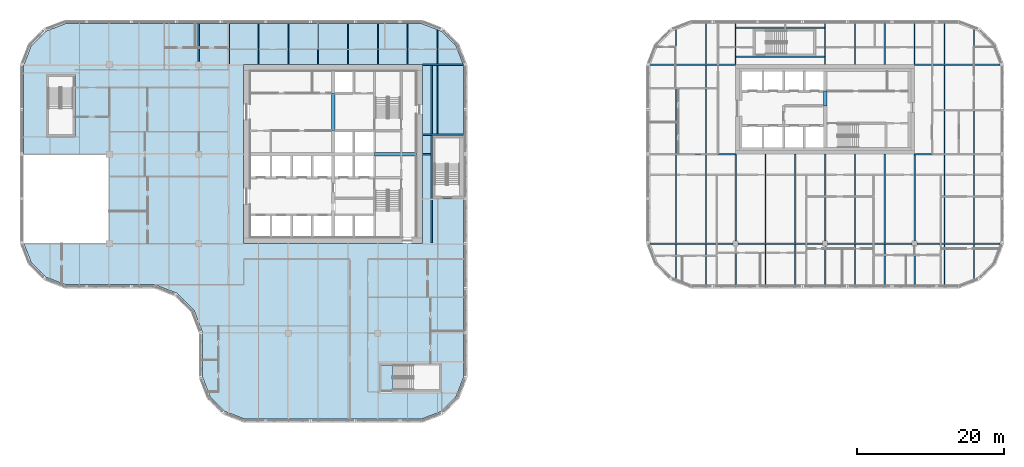
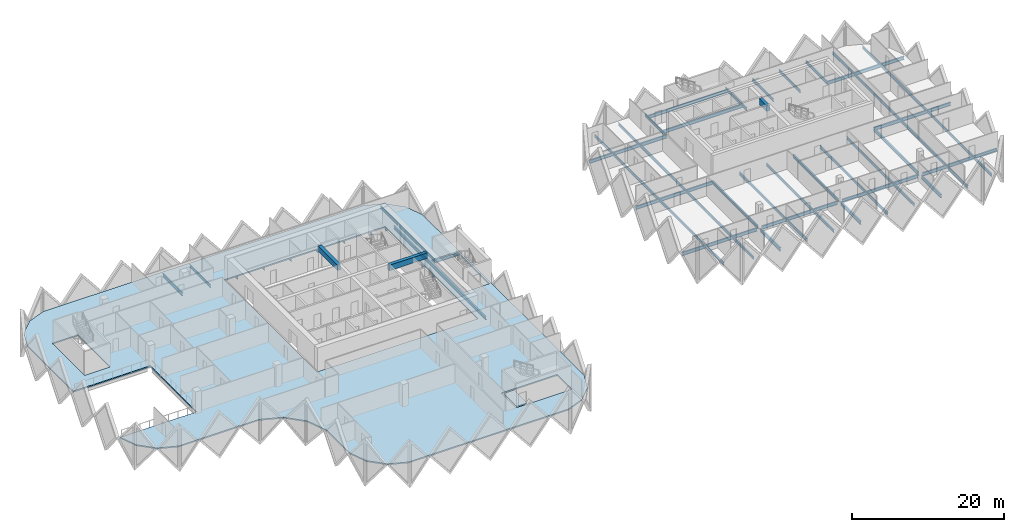
# One storey, part 2 of 19: 62 beams, 2 slabs.
"""IFC4 building model written with IfcOpenShell, lengths in metres."""

from ifc_helpers import new_model, si_unit, direction, frame, origin, origin_2d, place, context, subcontext, project, spatial, polyline, rectangle, i_section, outline, extrude, material, layer, layer_set, material_profile, profile_set, type_object, element, save


model = new_model("IFC4")

# Units and contexts
model_context = context("Model", 3, precision=1e-05, world=origin(), true_north=direction((0.0, 1.0)))
body_context = subcontext(model_context, "Body", "Model", "MODEL_VIEW")
ifc_project = project(units=[si_unit("LENGTHUNIT", "METRE"), si_unit("AREAUNIT", "SQUARE_METRE"), si_unit("VOLUMEUNIT", "CUBIC_METRE"), si_unit("PLANEANGLEUNIT", "RADIAN"), si_unit("MASSUNIT", "GRAM", prefix="KILO")], contexts=[model_context])

# Site, building, storey
site_placement = place(None, origin())
site = spatial("IfcSite", under=ifc_project, at=site_placement, CompositionType="ELEMENT")
building_placement = place(site_placement, origin())
building = spatial("IfcBuilding", under=site, at=building_placement, Name="Tessera Gate Towers", CompositionType="ELEMENT")
storey_placement = place(building_placement, frame((0.0, 0.0, 76.199951171875)))
storey = spatial("IfcBuildingStorey", under=building, at=storey_placement, Name="L18", CompositionType="ELEMENT", Elevation=76.199951171875)

# Beams
ifc_material_1 = material(Name="Concrete C50/60", Category="concrete")
ifc_material_profile_1 = material_profile(ifc_material_1, rectangle(XDim=0.5, YDim=0.89990234375, at=origin_2d()), Name="RC 500x900")
ifc_profile_set_1 = profile_set([ifc_material_profile_1], Name="Concrete C50/60")
beam_type_1 = type_object("IfcBeamType", Name="COUPLING BEAM 500x900 C50/60", PredefinedType="BEAM", material=ifc_profile_set_1)
beam_1_placement = place(storey_placement, frame((109.800048828125, 43.199951171875, 3.150146484375), z_axis=(0.0, 1.0, 0.0), x_axis=(-1.0, 0.0, 0.0)))
element("IfcBeam", 1, at=beam_1_placement, inside=storey, type_object=beam_type_1, Name="L18 coupling beam 1", PredefinedType="BEAM", context=body_context, shape_type="SweptSolid", body=[
    extrude(rectangle(XDim=0.5, YDim=0.89990234375, at=origin_2d()), origin(), (0.0, 0.0, 1.0), 2.0),
])
ifc_material_2 = material(Name="Concrete C60/75", Category="concrete")
ifc_material_profile_2 = material_profile(ifc_material_2, rectangle(XDim=0.5, YDim=0.89990234375, at=origin_2d()), Name="RC 500x900")
ifc_profile_set_2 = profile_set([ifc_material_profile_2], Name="Concrete C60/75")
beam_type_2 = type_object("IfcBeamType", Name="COUPLING BEAM 500x900 C60/75", PredefinedType="BEAM", material=ifc_profile_set_2)
beam_2_placement = place(storey_placement, frame((48.35009765625, 36.60009765625, 3.150146484375), z_axis=(1.0, 0.0, 0.0), x_axis=(0.0, 1.0, 0.0)))
element("IfcBeam", 2, at=beam_2_placement, inside=storey, type_object=beam_type_2, Name="L18 coupling beam 1", PredefinedType="BEAM", context=body_context, shape_type="SweptSolid", body=[
    extrude(rectangle(XDim=0.5, YDim=0.89990234375, at=origin_2d()), origin(), (0.0, 0.0, 1.0), 5.75),
])
beam_3_placement = place(storey_placement, frame((42.699951171875, 39.800048828125, 3.150146484375), z_axis=(0.0, 1.0, 0.0), x_axis=(-1.0, 0.0, 0.0)))
element("IfcBeam", 3, at=beam_3_placement, inside=storey, type_object=beam_type_2, Name="L18 coupling beam 2", PredefinedType="BEAM", context=body_context, shape_type="SweptSolid", body=[
    extrude(rectangle(XDim=0.5, YDim=0.89990234375, at=origin_2d()), origin(), (0.0, 0.0, 1.0), 5.099853515625),
])
ifc_material_3 = material(Name="Steel 350W", Category="steel")
ifc_material_profile_3 = material_profile(ifc_material_3, i_section(OverallWidth=0.208984375, OverallDepth=0.532958984375, WebThickness=0.01025390625, FlangeThickness=0.015625, at=origin_2d()), Name="W530x92")
ifc_profile_set_3 = profile_set([ifc_material_profile_3], Name="Steel 350W")
beam_type_3 = type_object("IfcBeamType", Name="FLOOR GIRDER W530x92", PredefinedType="BEAM", material=ifc_profile_set_3)
beam_4_placement = place(storey_placement, frame((54.89892578125, 36.60009765625, -0.466552734375), z_axis=(1.0, 0.0, 0.0), x_axis=(0.0, 1.0, 0.0)))
element("IfcBeam", 4, at=beam_4_placement, inside=storey, type_object=beam_type_3, Name="T1-GD-L18-2473", PredefinedType="BEAM", context=body_context, shape_type="SweptSolid", body=[
    extrude(i_section(OverallWidth=0.208984375, OverallDepth=0.532958984375, WebThickness=0.01025390625, FlangeThickness=0.015625, at=origin_2d()), origin(), (0.0, 0.0, 1.0), 1.176513671875),
])
beam_5_placement = place(storey_placement, frame((54.90087890625, 48.800048828125, -0.466552734375), z_axis=(1.0, 0.0, 0.0), x_axis=(0.0, 1.0, 0.0)))
element("IfcBeam", 5, at=beam_5_placement, inside=storey, type_object=beam_type_3, Name="T1-GD-L18-2477", PredefinedType="BEAM", context=body_context, shape_type="SweptSolid", body=[
    extrude(i_section(OverallWidth=0.208984375, OverallDepth=0.532958984375, WebThickness=0.01025390625, FlangeThickness=0.015625, at=origin_2d()), origin(), (0.0, 0.0, 1.0), 5.564208984375),
])
beam_6_placement = place(storey_placement, frame((24.39990234375, 49.25, -0.466552734375), z_axis=(0.0, 1.0, 0.0), x_axis=(-1.0, 0.0, 0.0)))
element("IfcBeam", 6, at=beam_6_placement, inside=storey, type_object=beam_type_3, Name="T1-GD-L18-2485", PredefinedType="BEAM", context=body_context, shape_type="SweptSolid", body=[
    extrude(i_section(OverallWidth=0.208984375, OverallDepth=0.532958984375, WebThickness=0.01025390625, FlangeThickness=0.015625, at=origin_2d()), origin(), (0.0, 0.0, 1.0), 5.15087890625),
])
beam_7_placement = place(storey_placement, frame((54.89892578125, 39.219970703125, -0.466552734375), z_axis=(1.0, 0.0, 0.0), x_axis=(0.0, 1.0, 0.0)))
element("IfcBeam", 7, at=beam_7_placement, inside=storey, type_object=beam_type_3, Name="T1-GD-L18-2495", PredefinedType="BEAM", context=body_context, shape_type="SweptSolid", body=[
    extrude(i_section(OverallWidth=0.208984375, OverallDepth=0.532958984375, WebThickness=0.01025390625, FlangeThickness=0.015625, at=origin_2d()), origin(), (0.0, 0.0, 1.0), 5.60205078125),
])
beam_8_placement = place(storey_placement, frame((56.179931640625, 24.50439453125, -0.466552734375), z_axis=(0.0, 1.0, 0.0), x_axis=(-1.0, 0.0, 0.0)))
element("IfcBeam", 8, at=beam_8_placement, inside=storey, type_object=beam_type_3, Name="T1-GD-L18-2496", PredefinedType="BEAM", context=body_context, shape_type="SweptSolid", body=[
    extrude(i_section(OverallWidth=0.208984375, OverallDepth=0.532958984375, WebThickness=0.01025390625, FlangeThickness=0.015625, at=origin_2d()), origin(), (0.0, 0.0, 1.0), 24.191162109375),
])
beam_9_placement = place(storey_placement, frame((85.934814453125, 24.39990234375, -0.466552734375), z_axis=(1.0, 0.0, 0.0), x_axis=(0.0, 1.0, 0.0)))
element("IfcBeam", 9, at=beam_9_placement, inside=storey, type_object=beam_type_3, Name="T2-GD-L18-2537", PredefinedType="BEAM", context=body_context, shape_type="SweptSolid", body=[
    extrude(i_section(OverallWidth=0.208984375, OverallDepth=0.532958984375, WebThickness=0.01025390625, FlangeThickness=0.015625, at=origin_2d()), origin(), (0.0, 0.0, 1.0), 11.315185546875),
])
for number, where, z_axis, x_axis, name in (
    (10, (97.949951171875, 24.39990234375, -0.466552734375), (1.0, 0.0, 0.0), (0.0, 1.0, 0.0), "T2-GD-L18-2538"),
    (11, (110.14990234375, 24.39990234375, -0.466552734375), (1.0, 0.0, 0.0), (0.0, 1.0, 0.0), "T2-GD-L18-2539"),
):
    element("IfcBeam", number, at=place(storey_placement, frame(where, z_axis=z_axis, x_axis=x_axis)), inside=storey, type_object=beam_type_3, Name=name, PredefinedType="BEAM", context=body_context, shape_type="SweptSolid", body=[
        extrude(i_section(OverallWidth=0.208984375, OverallDepth=0.532958984375, WebThickness=0.01025390625, FlangeThickness=0.015625, at=origin_2d()), origin(), (0.0, 0.0, 1.0), 11.5),
    ])
beam_10_placement = place(storey_placement, frame((122.35009765625, 24.39990234375, -0.466552734375), z_axis=(1.0, 0.0, 0.0), x_axis=(0.0, 1.0, 0.0)))
element("IfcBeam", 12, at=beam_10_placement, inside=storey, type_object=beam_type_3, Name="T2-GD-L18-2540", PredefinedType="BEAM", context=body_context, shape_type="SweptSolid", body=[
    extrude(i_section(OverallWidth=0.208984375, OverallDepth=0.532958984375, WebThickness=0.01025390625, FlangeThickness=0.015625, at=origin_2d()), origin(), (0.0, 0.0, 1.0), 11.315185546875),
])
beam_11_placement = place(storey_placement, frame((85.89892578125, 36.60009765625, -0.466552734375), z_axis=(1.0, 0.0, 0.0), x_axis=(0.0, 1.0, 0.0)))
element("IfcBeam", 13, at=beam_11_placement, inside=storey, type_object=beam_type_3, Name="T2-GD-L18-2541", PredefinedType="BEAM", context=body_context, shape_type="SweptSolid", body=[
    extrude(i_section(OverallWidth=0.208984375, OverallDepth=0.532958984375, WebThickness=0.01025390625, FlangeThickness=0.015625, at=origin_2d()), origin(), (0.0, 0.0, 1.0), 11.7001953125),
])
beam_12_placement = place(storey_placement, frame((122.0009765625, 36.60009765625, -0.466552734375), z_axis=(1.0, 0.0, 0.0), x_axis=(0.0, 1.0, 0.0)))
element("IfcBeam", 14, at=beam_12_placement, inside=storey, type_object=beam_type_3, Name="T2-GD-L18-2542", PredefinedType="BEAM", context=body_context, shape_type="SweptSolid", body=[
    extrude(i_section(OverallWidth=0.208984375, OverallDepth=0.532958984375, WebThickness=0.01025390625, FlangeThickness=0.015625, at=origin_2d()), origin(), (0.0, 0.0, 1.0), 11.699951171875),
])
for number, where, z_axis, x_axis, name in (
    (15, (85.934814453125, 48.800048828125, -0.466552734375), (1.0, 0.0, 0.0), (0.0, 1.0, 0.0), "T2-GD-L18-2543"),
    (16, (122.0009765625, 48.800048828125, -0.466552734375), (1.0, 0.0, 0.0), (0.0, 1.0, 0.0), "T2-GD-L18-2544"),
):
    element("IfcBeam", number, at=place(storey_placement, frame(where, z_axis=z_axis, x_axis=x_axis)), inside=storey, type_object=beam_type_3, Name=name, PredefinedType="BEAM", context=body_context, shape_type="SweptSolid", body=[
        extrude(i_section(OverallWidth=0.208984375, OverallDepth=0.532958984375, WebThickness=0.01025390625, FlangeThickness=0.015625, at=origin_2d()), origin(), (0.0, 0.0, 1.0), 11.664306640625),
    ])
beam_13_placement = place(storey_placement, frame((97.60009765625, 18.799072265625, -0.466552734375), z_axis=(0.0, 1.0, 0.0), x_axis=(-1.0, 0.0, 0.0)))
element("IfcBeam", 17, at=beam_13_placement, inside=storey, type_object=beam_type_3, Name="T2-GD-L18-2545", PredefinedType="BEAM", context=body_context, shape_type="SweptSolid", body=[
    extrude(i_section(OverallWidth=0.208984375, OverallDepth=0.532958984375, WebThickness=0.01025390625, FlangeThickness=0.015625, at=origin_2d()), origin(), (0.0, 0.0, 1.0), 5.2509765625),
])
beam_14_placement = place(storey_placement, frame((97.60009765625, 24.75, -0.466552734375), z_axis=(0.0, 1.0, 0.0), x_axis=(-1.0, 0.0, 0.0)))
element("IfcBeam", 18, at=beam_14_placement, inside=storey, type_object=beam_type_3, Name="T2-GD-L18-2546", PredefinedType="BEAM", context=body_context, shape_type="SweptSolid", body=[
    extrude(i_section(OverallWidth=0.208984375, OverallDepth=0.532958984375, WebThickness=0.01025390625, FlangeThickness=0.015625, at=origin_2d()), origin(), (0.0, 0.0, 1.0), 11.85009765625),
])
beam_15_placement = place(storey_placement, frame((109.800048828125, 18.799072265625, -0.466552734375), z_axis=(0.0, 1.0, 0.0), x_axis=(-1.0, 0.0, 0.0)))
element("IfcBeam", 19, at=beam_15_placement, inside=storey, type_object=beam_type_3, Name="T2-GD-L18-2547", PredefinedType="BEAM", context=body_context, shape_type="SweptSolid", body=[
    extrude(i_section(OverallWidth=0.208984375, OverallDepth=0.532958984375, WebThickness=0.01025390625, FlangeThickness=0.015625, at=origin_2d()), origin(), (0.0, 0.0, 1.0), 5.2509765625),
])
beam_16_placement = place(storey_placement, frame((109.800048828125, 24.75, -0.466552734375), z_axis=(0.0, 1.0, 0.0), x_axis=(-1.0, 0.0, 0.0)))
element("IfcBeam", 20, at=beam_16_placement, inside=storey, type_object=beam_type_3, Name="T2-GD-L18-2548", PredefinedType="BEAM", context=body_context, shape_type="SweptSolid", body=[
    extrude(i_section(OverallWidth=0.208984375, OverallDepth=0.532958984375, WebThickness=0.01025390625, FlangeThickness=0.015625, at=origin_2d()), origin(), (0.0, 0.0, 1.0), 11.85009765625),
])
beam_17_placement = place(storey_placement, frame((122.0, 18.799072265625, -0.466552734375), z_axis=(0.0, 1.0, 0.0), x_axis=(-1.0, 0.0, 0.0)))
element("IfcBeam", 21, at=beam_17_placement, inside=storey, type_object=beam_type_3, Name="T2-GD-L18-2549", PredefinedType="BEAM", context=body_context, shape_type="SweptSolid", body=[
    extrude(i_section(OverallWidth=0.208984375, OverallDepth=0.532958984375, WebThickness=0.01025390625, FlangeThickness=0.015625, at=origin_2d()), origin(), (0.0, 0.0, 1.0), 5.2509765625),
])
beam_18_placement = place(storey_placement, frame((122.0, 24.75, -0.466552734375), z_axis=(0.0, 1.0, 0.0), x_axis=(-1.0, 0.0, 0.0)))
element("IfcBeam", 22, at=beam_18_placement, inside=storey, type_object=beam_type_3, Name="T2-GD-L18-2550", PredefinedType="BEAM", context=body_context, shape_type="SweptSolid", body=[
    extrude(i_section(OverallWidth=0.208984375, OverallDepth=0.532958984375, WebThickness=0.01025390625, FlangeThickness=0.015625, at=origin_2d()), origin(), (0.0, 0.0, 1.0), 11.85009765625),
])
for number, where, z_axis, x_axis, name in (
    (23, (97.676513671875, 49.8798828125, -0.466552734375), (1.0, 0.0, 0.0), (0.0, 1.0, 0.0), "T2-GD-L18-2551"),
    (24, (97.676513671875, 53.820068359375, -0.466552734375), (1.0, 0.0, 0.0), (0.0, 1.0, 0.0), "T2-GD-L18-2552"),
):
    element("IfcBeam", number, at=place(storey_placement, frame(where, z_axis=z_axis, x_axis=x_axis)), inside=storey, type_object=beam_type_3, Name=name, PredefinedType="BEAM", context=body_context, shape_type="SweptSolid", body=[
        extrude(i_section(OverallWidth=0.208984375, OverallDepth=0.532958984375, WebThickness=0.01025390625, FlangeThickness=0.015625, at=origin_2d()), origin(), (0.0, 0.0, 1.0), 12.046875),
    ])
ifc_material_4 = material(Name="Steel 350W", Category="steel")
ifc_material_profile_4 = material_profile(ifc_material_4, i_section(OverallWidth=0.153076171875, OverallDepth=0.455078125, WebThickness=0.008056640625, FlangeThickness=0.01318359375, at=origin_2d()), Name="W460x60")
ifc_profile_set_4 = profile_set([ifc_material_profile_4], Name="Steel 350W")
beam_type_4 = type_object("IfcBeamType", Name="FLOOR SECONDARY W460x60", PredefinedType="BEAM", material=ifc_profile_set_4)
beam_19_placement = place(storey_placement, frame((28.466796875, 48.904541015625, -0.427490234375), z_axis=(0.0, 1.0, 0.0), x_axis=(-1.0, 0.0, 0.0)))
element("IfcBeam", 25, at=beam_19_placement, inside=storey, type_object=beam_type_4, Name="T1-BM-L18-2515", PredefinedType="BEAM", context=body_context, shape_type="SweptSolid", body=[
    extrude(i_section(OverallWidth=0.153076171875, OverallDepth=0.455078125, WebThickness=0.008056640625, FlangeThickness=0.01318359375, at=origin_2d()), origin(), (0.0, 0.0, 1.0), 5.495361328125),
])
for number, where, z_axis, x_axis, name in (
    (26, (32.533203125, 48.800048828125, -0.427490234375), (0.0, 1.0, 0.0), (-1.0, 0.0, 0.0), "T1-BM-L18-2518"),
    (27, (36.60009765625, 48.800048828125, -0.427490234375), (0.0, 1.0, 0.0), (-1.0, 0.0, 0.0), "T1-BM-L18-2519"),
    (28, (40.666748046875, 48.800048828125, -0.427490234375), (0.0, 1.0, 0.0), (-1.0, 0.0, 0.0), "T1-BM-L18-2522"),
    (29, (44.7333984375, 48.800048828125, -0.427490234375), (0.0, 1.0, 0.0), (-1.0, 0.0, 0.0), "T1-BM-L18-2525"),
    (30, (48.800048828125, 48.800048828125, -0.427490234375), (0.0, 1.0, 0.0), (-1.0, 0.0, 0.0), "T1-BM-L18-2526"),
    (31, (52.86669921875, 48.800048828125, -0.427490234375), (0.0, 1.0, 0.0), (-1.0, 0.0, 0.0), "T1-BM-L18-2530"),
):
    element("IfcBeam", number, at=place(storey_placement, frame(where, z_axis=z_axis, x_axis=x_axis)), inside=storey, type_object=beam_type_4, Name=name, PredefinedType="BEAM", context=body_context, shape_type="SweptSolid", body=[
        extrude(i_section(OverallWidth=0.153076171875, OverallDepth=0.455078125, WebThickness=0.008056640625, FlangeThickness=0.01318359375, at=origin_2d()), origin(), (0.0, 0.0, 1.0), 5.599853515625),
    ])
beam_20_placement = place(storey_placement, frame((56.933349609375, 39.324462890625, -0.427490234375), z_axis=(0.0, 1.0, 0.0), x_axis=(-1.0, 0.0, 0.0)))
element("IfcBeam", 32, at=beam_20_placement, inside=storey, type_object=beam_type_4, Name="T1-BM-L18-2535", PredefinedType="BEAM", context=body_context, shape_type="SweptSolid", body=[
    extrude(i_section(OverallWidth=0.153076171875, OverallDepth=0.455078125, WebThickness=0.008056640625, FlangeThickness=0.01318359375, at=origin_2d()), origin(), (0.0, 0.0, 1.0), 9.37109375),
])
for number, where, z_axis, x_axis, name in (
    (33, (56.933349609375, 48.904541015625, -0.427490234375), (0.0, 1.0, 0.0), (-1.0, 0.0, 0.0), "T1-BM-L18-2536"),
    (34, (89.466796875, 19.620361328125, -0.427490234375), (0.0, 1.0, 0.0), (-1.0, 0.0, 0.0), "T2-BM-L18-2553"),
):
    element("IfcBeam", number, at=place(storey_placement, frame(where, z_axis=z_axis, x_axis=x_axis)), inside=storey, type_object=beam_type_4, Name=name, PredefinedType="BEAM", context=body_context, shape_type="SweptSolid", body=[
        extrude(i_section(OverallWidth=0.153076171875, OverallDepth=0.455078125, WebThickness=0.008056640625, FlangeThickness=0.01318359375, at=origin_2d()), origin(), (0.0, 0.0, 1.0), 4.675048828125),
    ])
beam_21_placement = place(storey_placement, frame((89.466796875, 24.50439453125, -0.427490234375), z_axis=(0.0, 1.0, 0.0), x_axis=(-1.0, 0.0, 0.0)))
element("IfcBeam", 35, at=beam_21_placement, inside=storey, type_object=beam_type_4, Name="T2-BM-L18-2554", PredefinedType="BEAM", context=body_context, shape_type="SweptSolid", body=[
    extrude(i_section(OverallWidth=0.153076171875, OverallDepth=0.455078125, WebThickness=0.008056640625, FlangeThickness=0.01318359375, at=origin_2d()), origin(), (0.0, 0.0, 1.0), 11.9912109375),
])
beam_22_placement = place(storey_placement, frame((89.466796875, 36.70458984375, -0.427490234375), z_axis=(0.0, 1.0, 0.0), x_axis=(-1.0, 0.0, 0.0)))
element("IfcBeam", 36, at=beam_22_placement, inside=storey, type_object=beam_type_4, Name="T2-BM-L18-2555", PredefinedType="BEAM", context=body_context, shape_type="SweptSolid", body=[
    extrude(i_section(OverallWidth=0.153076171875, OverallDepth=0.455078125, WebThickness=0.008056640625, FlangeThickness=0.01318359375, at=origin_2d()), origin(), (0.0, 0.0, 1.0), 11.990966796875),
])
beam_23_placement = place(storey_placement, frame((89.466796875, 48.904541015625, -0.427490234375), z_axis=(0.0, 1.0, 0.0), x_axis=(-1.0, 0.0, 0.0)))
element("IfcBeam", 37, at=beam_23_placement, inside=storey, type_object=beam_type_4, Name="T2-BM-L18-2556", PredefinedType="BEAM", context=body_context, shape_type="SweptSolid", body=[
    extrude(i_section(OverallWidth=0.153076171875, OverallDepth=0.455078125, WebThickness=0.008056640625, FlangeThickness=0.01318359375, at=origin_2d()), origin(), (0.0, 0.0, 1.0), 4.675048828125),
])
beam_24_placement = place(storey_placement, frame((93.533203125, 18.800048828125, -0.427490234375), z_axis=(0.0, 1.0, 0.0), x_axis=(-1.0, 0.0, 0.0)))
element("IfcBeam", 38, at=beam_24_placement, inside=storey, type_object=beam_type_4, Name="T2-BM-L18-2557", PredefinedType="BEAM", context=body_context, shape_type="SweptSolid", body=[
    extrude(i_section(OverallWidth=0.153076171875, OverallDepth=0.455078125, WebThickness=0.008056640625, FlangeThickness=0.01318359375, at=origin_2d()), origin(), (0.0, 0.0, 1.0), 5.495361328125),
])
beam_25_placement = place(storey_placement, frame((93.533203125, 24.50439453125, -0.427490234375), z_axis=(0.0, 1.0, 0.0), x_axis=(-1.0, 0.0, 0.0)))
element("IfcBeam", 39, at=beam_25_placement, inside=storey, type_object=beam_type_4, Name="T2-BM-L18-2558", PredefinedType="BEAM", context=body_context, shape_type="SweptSolid", body=[
    extrude(i_section(OverallWidth=0.153076171875, OverallDepth=0.455078125, WebThickness=0.008056640625, FlangeThickness=0.01318359375, at=origin_2d()), origin(), (0.0, 0.0, 1.0), 11.9912109375),
])
beam_26_placement = place(storey_placement, frame((93.533203125, 36.70458984375, -0.427490234375), z_axis=(0.0, 1.0, 0.0), x_axis=(-1.0, 0.0, 0.0)))
element("IfcBeam", 40, at=beam_26_placement, inside=storey, type_object=beam_type_4, Name="T2-BM-L18-2559", PredefinedType="BEAM", context=body_context, shape_type="SweptSolid", body=[
    extrude(i_section(OverallWidth=0.153076171875, OverallDepth=0.455078125, WebThickness=0.008056640625, FlangeThickness=0.01318359375, at=origin_2d()), origin(), (0.0, 0.0, 1.0), 11.990966796875),
])
beam_27_placement = place(storey_placement, frame((93.533203125, 48.904541015625, -0.427490234375), z_axis=(0.0, 1.0, 0.0), x_axis=(-1.0, 0.0, 0.0)))
element("IfcBeam", 41, at=beam_27_placement, inside=storey, type_object=beam_type_4, Name="T2-BM-L18-2560", PredefinedType="BEAM", context=body_context, shape_type="SweptSolid", body=[
    extrude(i_section(OverallWidth=0.153076171875, OverallDepth=0.455078125, WebThickness=0.008056640625, FlangeThickness=0.01318359375, at=origin_2d()), origin(), (0.0, 0.0, 1.0), 5.495361328125),
])
beam_28_placement = place(storey_placement, frame((97.60009765625, 48.800048828125, -0.427490234375), z_axis=(0.0, 1.0, 0.0), x_axis=(-1.0, 0.0, 0.0)))
element("IfcBeam", 42, at=beam_28_placement, inside=storey, type_object=beam_type_4, Name="T2-BM-L18-2561", PredefinedType="BEAM", context=body_context, shape_type="SweptSolid", body=[
    extrude(i_section(OverallWidth=0.153076171875, OverallDepth=0.455078125, WebThickness=0.008056640625, FlangeThickness=0.01318359375, at=origin_2d()), origin(), (0.0, 0.0, 1.0), 5.599853515625),
])
beam_29_placement = place(storey_placement, frame((101.666748046875, 18.800048828125, -0.427490234375), z_axis=(0.0, 1.0, 0.0), x_axis=(-1.0, 0.0, 0.0)))
element("IfcBeam", 43, at=beam_29_placement, inside=storey, type_object=beam_type_4, Name="T2-BM-L18-2562", PredefinedType="BEAM", context=body_context, shape_type="SweptSolid", body=[
    extrude(i_section(OverallWidth=0.153076171875, OverallDepth=0.455078125, WebThickness=0.008056640625, FlangeThickness=0.01318359375, at=origin_2d()), origin(), (0.0, 0.0, 1.0), 5.495361328125),
])
beam_30_placement = place(storey_placement, frame((101.666748046875, 24.50439453125, -0.427490234375), z_axis=(0.0, 1.0, 0.0), x_axis=(-1.0, 0.0, 0.0)))
element("IfcBeam", 44, at=beam_30_placement, inside=storey, type_object=beam_type_4, Name="T2-BM-L18-2563", PredefinedType="BEAM", context=body_context, shape_type="SweptSolid", body=[
    extrude(i_section(OverallWidth=0.153076171875, OverallDepth=0.455078125, WebThickness=0.008056640625, FlangeThickness=0.01318359375, at=origin_2d()), origin(), (0.0, 0.0, 1.0), 12.095703125),
])
beam_31_placement = place(storey_placement, frame((105.7333984375, 18.800048828125, -0.427490234375), z_axis=(0.0, 1.0, 0.0), x_axis=(-1.0, 0.0, 0.0)))
element("IfcBeam", 45, at=beam_31_placement, inside=storey, type_object=beam_type_4, Name="T2-BM-L18-2564", PredefinedType="BEAM", context=body_context, shape_type="SweptSolid", body=[
    extrude(i_section(OverallWidth=0.153076171875, OverallDepth=0.455078125, WebThickness=0.008056640625, FlangeThickness=0.01318359375, at=origin_2d()), origin(), (0.0, 0.0, 1.0), 5.495361328125),
])
beam_32_placement = place(storey_placement, frame((105.7333984375, 24.50439453125, -0.427490234375), z_axis=(0.0, 1.0, 0.0), x_axis=(-1.0, 0.0, 0.0)))
element("IfcBeam", 46, at=beam_32_placement, inside=storey, type_object=beam_type_4, Name="T2-BM-L18-2565", PredefinedType="BEAM", context=body_context, shape_type="SweptSolid", body=[
    extrude(i_section(OverallWidth=0.153076171875, OverallDepth=0.455078125, WebThickness=0.008056640625, FlangeThickness=0.01318359375, at=origin_2d()), origin(), (0.0, 0.0, 1.0), 12.095703125),
])
beam_33_placement = place(storey_placement, frame((109.800048828125, 48.800048828125, -0.427490234375), z_axis=(0.0, 1.0, 0.0), x_axis=(-1.0, 0.0, 0.0)))
element("IfcBeam", 47, at=beam_33_placement, inside=storey, type_object=beam_type_4, Name="T2-BM-L18-2566", PredefinedType="BEAM", context=body_context, shape_type="SweptSolid", body=[
    extrude(i_section(OverallWidth=0.153076171875, OverallDepth=0.455078125, WebThickness=0.008056640625, FlangeThickness=0.01318359375, at=origin_2d()), origin(), (0.0, 0.0, 1.0), 5.599853515625),
])
beam_34_placement = place(storey_placement, frame((113.86669921875, 18.800048828125, -0.427490234375), z_axis=(0.0, 1.0, 0.0), x_axis=(-1.0, 0.0, 0.0)))
element("IfcBeam", 48, at=beam_34_placement, inside=storey, type_object=beam_type_4, Name="T2-BM-L18-2567", PredefinedType="BEAM", context=body_context, shape_type="SweptSolid", body=[
    extrude(i_section(OverallWidth=0.153076171875, OverallDepth=0.455078125, WebThickness=0.008056640625, FlangeThickness=0.01318359375, at=origin_2d()), origin(), (0.0, 0.0, 1.0), 5.495361328125),
])
beam_35_placement = place(storey_placement, frame((113.86669921875, 24.50439453125, -0.427490234375), z_axis=(0.0, 1.0, 0.0), x_axis=(-1.0, 0.0, 0.0)))
element("IfcBeam", 49, at=beam_35_placement, inside=storey, type_object=beam_type_4, Name="T2-BM-L18-2568", PredefinedType="BEAM", context=body_context, shape_type="SweptSolid", body=[
    extrude(i_section(OverallWidth=0.153076171875, OverallDepth=0.455078125, WebThickness=0.008056640625, FlangeThickness=0.01318359375, at=origin_2d()), origin(), (0.0, 0.0, 1.0), 12.095703125),
])
beam_36_placement = place(storey_placement, frame((113.86669921875, 48.800048828125, -0.427490234375), z_axis=(0.0, 1.0, 0.0), x_axis=(-1.0, 0.0, 0.0)))
element("IfcBeam", 50, at=beam_36_placement, inside=storey, type_object=beam_type_4, Name="T2-BM-L18-2569", PredefinedType="BEAM", context=body_context, shape_type="SweptSolid", body=[
    extrude(i_section(OverallWidth=0.153076171875, OverallDepth=0.455078125, WebThickness=0.008056640625, FlangeThickness=0.01318359375, at=origin_2d()), origin(), (0.0, 0.0, 1.0), 5.599853515625),
])
beam_37_placement = place(storey_placement, frame((117.933349609375, 18.800048828125, -0.427490234375), z_axis=(0.0, 1.0, 0.0), x_axis=(-1.0, 0.0, 0.0)))
element("IfcBeam", 51, at=beam_37_placement, inside=storey, type_object=beam_type_4, Name="T2-BM-L18-2570", PredefinedType="BEAM", context=body_context, shape_type="SweptSolid", body=[
    extrude(i_section(OverallWidth=0.153076171875, OverallDepth=0.455078125, WebThickness=0.008056640625, FlangeThickness=0.01318359375, at=origin_2d()), origin(), (0.0, 0.0, 1.0), 5.495361328125),
])
beam_38_placement = place(storey_placement, frame((117.933349609375, 24.50439453125, -0.427490234375), z_axis=(0.0, 1.0, 0.0), x_axis=(-1.0, 0.0, 0.0)))
element("IfcBeam", 52, at=beam_38_placement, inside=storey, type_object=beam_type_4, Name="T2-BM-L18-2571", PredefinedType="BEAM", context=body_context, shape_type="SweptSolid", body=[
    extrude(i_section(OverallWidth=0.153076171875, OverallDepth=0.455078125, WebThickness=0.008056640625, FlangeThickness=0.01318359375, at=origin_2d()), origin(), (0.0, 0.0, 1.0), 12.095703125),
])
for number, where, z_axis, x_axis, name in (
    (53, (117.933349609375, 48.800048828125, -0.427490234375), (0.0, 1.0, 0.0), (-1.0, 0.0, 0.0), "T2-BM-L18-2572"),
    (54, (122.0, 48.800048828125, -0.427490234375), (0.0, 1.0, 0.0), (-1.0, 0.0, 0.0), "T2-BM-L18-2573"),
):
    element("IfcBeam", number, at=place(storey_placement, frame(where, z_axis=z_axis, x_axis=x_axis)), inside=storey, type_object=beam_type_4, Name=name, PredefinedType="BEAM", context=body_context, shape_type="SweptSolid", body=[
        extrude(i_section(OverallWidth=0.153076171875, OverallDepth=0.455078125, WebThickness=0.008056640625, FlangeThickness=0.01318359375, at=origin_2d()), origin(), (0.0, 0.0, 1.0), 5.599853515625),
    ])
beam_39_placement = place(storey_placement, frame((126.066650390625, 18.800048828125, -0.427490234375), z_axis=(0.0, 1.0, 0.0), x_axis=(-1.0, 0.0, 0.0)))
element("IfcBeam", 55, at=beam_39_placement, inside=storey, type_object=beam_type_4, Name="T2-BM-L18-2574", PredefinedType="BEAM", context=body_context, shape_type="SweptSolid", body=[
    extrude(i_section(OverallWidth=0.153076171875, OverallDepth=0.455078125, WebThickness=0.008056640625, FlangeThickness=0.01318359375, at=origin_2d()), origin(), (0.0, 0.0, 1.0), 5.495361328125),
])
beam_40_placement = place(storey_placement, frame((126.066650390625, 24.50439453125, -0.427490234375), z_axis=(0.0, 1.0, 0.0), x_axis=(-1.0, 0.0, 0.0)))
element("IfcBeam", 56, at=beam_40_placement, inside=storey, type_object=beam_type_4, Name="T2-BM-L18-2575", PredefinedType="BEAM", context=body_context, shape_type="SweptSolid", body=[
    extrude(i_section(OverallWidth=0.153076171875, OverallDepth=0.455078125, WebThickness=0.008056640625, FlangeThickness=0.01318359375, at=origin_2d()), origin(), (0.0, 0.0, 1.0), 11.9912109375),
])
beam_41_placement = place(storey_placement, frame((126.066650390625, 36.70458984375, -0.427490234375), z_axis=(0.0, 1.0, 0.0), x_axis=(-1.0, 0.0, 0.0)))
element("IfcBeam", 57, at=beam_41_placement, inside=storey, type_object=beam_type_4, Name="T2-BM-L18-2576", PredefinedType="BEAM", context=body_context, shape_type="SweptSolid", body=[
    extrude(i_section(OverallWidth=0.153076171875, OverallDepth=0.455078125, WebThickness=0.008056640625, FlangeThickness=0.01318359375, at=origin_2d()), origin(), (0.0, 0.0, 1.0), 11.990966796875),
])
beam_42_placement = place(storey_placement, frame((126.066650390625, 48.904541015625, -0.427490234375), z_axis=(0.0, 1.0, 0.0), x_axis=(-1.0, 0.0, 0.0)))
element("IfcBeam", 58, at=beam_42_placement, inside=storey, type_object=beam_type_4, Name="T2-BM-L18-2577", PredefinedType="BEAM", context=body_context, shape_type="SweptSolid", body=[
    extrude(i_section(OverallWidth=0.153076171875, OverallDepth=0.455078125, WebThickness=0.008056640625, FlangeThickness=0.01318359375, at=origin_2d()), origin(), (0.0, 0.0, 1.0), 5.495361328125),
])
beam_43_placement = place(storey_placement, frame((130.13330078125, 19.620361328125, -0.427490234375), z_axis=(0.0, 1.0, 0.0), x_axis=(-1.0, 0.0, 0.0)))
element("IfcBeam", 59, at=beam_43_placement, inside=storey, type_object=beam_type_4, Name="T2-BM-L18-2578", PredefinedType="BEAM", context=body_context, shape_type="SweptSolid", body=[
    extrude(i_section(OverallWidth=0.153076171875, OverallDepth=0.455078125, WebThickness=0.008056640625, FlangeThickness=0.01318359375, at=origin_2d()), origin(), (0.0, 0.0, 1.0), 4.675048828125),
])
beam_44_placement = place(storey_placement, frame((130.13330078125, 24.50439453125, -0.427490234375), z_axis=(0.0, 1.0, 0.0), x_axis=(-1.0, 0.0, 0.0)))
element("IfcBeam", 60, at=beam_44_placement, inside=storey, type_object=beam_type_4, Name="T2-BM-L18-2579", PredefinedType="BEAM", context=body_context, shape_type="SweptSolid", body=[
    extrude(i_section(OverallWidth=0.153076171875, OverallDepth=0.455078125, WebThickness=0.008056640625, FlangeThickness=0.01318359375, at=origin_2d()), origin(), (0.0, 0.0, 1.0), 11.9912109375),
])
beam_45_placement = place(storey_placement, frame((130.13330078125, 36.70458984375, -0.427490234375), z_axis=(0.0, 1.0, 0.0), x_axis=(-1.0, 0.0, 0.0)))
element("IfcBeam", 61, at=beam_45_placement, inside=storey, type_object=beam_type_4, Name="T2-BM-L18-2580", PredefinedType="BEAM", context=body_context, shape_type="SweptSolid", body=[
    extrude(i_section(OverallWidth=0.153076171875, OverallDepth=0.455078125, WebThickness=0.008056640625, FlangeThickness=0.01318359375, at=origin_2d()), origin(), (0.0, 0.0, 1.0), 11.990966796875),
])
beam_46_placement = place(storey_placement, frame((130.13330078125, 48.904541015625, -0.427490234375), z_axis=(0.0, 1.0, 0.0), x_axis=(-1.0, 0.0, 0.0)))
element("IfcBeam", 62, at=beam_46_placement, inside=storey, type_object=beam_type_4, Name="T2-BM-L18-2581", PredefinedType="BEAM", context=body_context, shape_type="SweptSolid", body=[
    extrude(i_section(OverallWidth=0.153076171875, OverallDepth=0.455078125, WebThickness=0.008056640625, FlangeThickness=0.01318359375, at=origin_2d()), origin(), (0.0, 0.0, 1.0), 4.675048828125),
])

# Slabs
ifc_material_5 = material(Name="Concrete C35/45", Category="concrete")
ifc_layer_1 = layer(ifc_material_5, 0.199951171875)
ifc_layer_set_1 = layer_set([ifc_layer_1], Name="COMPOSITE FLOOR 200")
slab_type_1 = type_object("IfcSlabType", Name="COMPOSITE FLOOR 200", PredefinedType="FLOOR", material=ifc_layer_set_1)
slab_1_placement = place(storey_placement, frame((0.0, 0.0, -0.199951171875)))
element("IfcSlab", 63, at=slab_1_placement, inside=storey, type_object=slab_type_1, Name="T1-L18", PredefinedType="FLOOR", context=body_context, shape_type="SweptSolid", body=[
    extrude(outline(polyline([(0.5, 36.60009765625), (12.199951171875, 36.60009765625), (12.199951171875, 24.39990234375), (0.535888671875, 24.39990234375), (1.526123046875, 21.8330078125), (3.533203125, 19.826171875), (6.193115234375, 18.800048828125), (18.39306640625, 18.800048828125), (21.42431640625, 17.630615234375), (23.730712890625, 15.32421875), (24.89990234375, 12.293212890625), (24.89990234375, 6.193115234375), (25.926025390625, 3.533203125), (27.93310546875, 1.526123046875), (30.593017578125, 0.5), (54.806884765625, 0.5), (57.466796875, 1.526123046875), (59.473876953125, 3.533203125), (60.5, 6.193115234375), (60.5, 48.706787109375), (59.473876953125, 51.366943359375), (57.466796875, 53.373779296875), (54.806884765625, 54.39990234375), (6.193115234375, 54.39990234375), (3.533203125, 53.373779296875), (1.526123046875, 51.366943359375), (0.5, 48.706787109375), (0.5, 36.60009765625)]), holes=[polyline([(3.60009765625, 39.0), (3.60009765625, 47.5), (7.5, 47.5), (7.5, 39.0), (3.60009765625, 39.0)]), polyline([(30.5, 24.39990234375), (30.5, 48.800048828125), (54.89990234375, 48.800048828125), (54.89990234375, 24.39990234375), (30.5, 24.39990234375)]), polyline([(49.0, 4.199951171875), (49.0, 8.10009765625), (57.5, 8.10009765625), (57.5, 4.199951171875), (49.0, 4.199951171875)]), polyline([(56.300048828125, 30.60009765625), (56.300048828125, 39.10009765625), (60.199951171875, 39.10009765625), (60.199951171875, 30.60009765625), (56.300048828125, 30.60009765625)])]), origin(), (0.0, 0.0, 1.0), 0.199951171875),
])
ifc_material_6 = material(Name="Concrete C35/45", Category="concrete")
ifc_layer_2 = layer(ifc_material_6, 0.199951171875)
ifc_layer_set_2 = layer_set([ifc_layer_2], Name="CORE FLOOR SLAB 200")
slab_type_2 = type_object("IfcSlabType", Name="CORE FLOOR SLAB 200", PredefinedType="FLOOR", material=ifc_layer_set_2)
slab_2_placement = place(storey_placement, frame((0.0, 0.0, -0.199951171875)))
element("IfcSlab", 64, at=slab_2_placement, inside=storey, type_object=slab_type_2, Name="L18 ST4 floor landing", PredefinedType="FLOOR", context=body_context, shape_type="SweptSolid", body=[
    extrude(outline(polyline([(49.25, 4.449951171875), (50.85009765625, 4.449951171875), (50.85009765625, 7.85009765625), (49.25, 7.85009765625), (49.25, 4.449951171875)])), origin(), (0.0, 0.0, 1.0), 0.199951171875),
])

save(model, "model.ifc")
